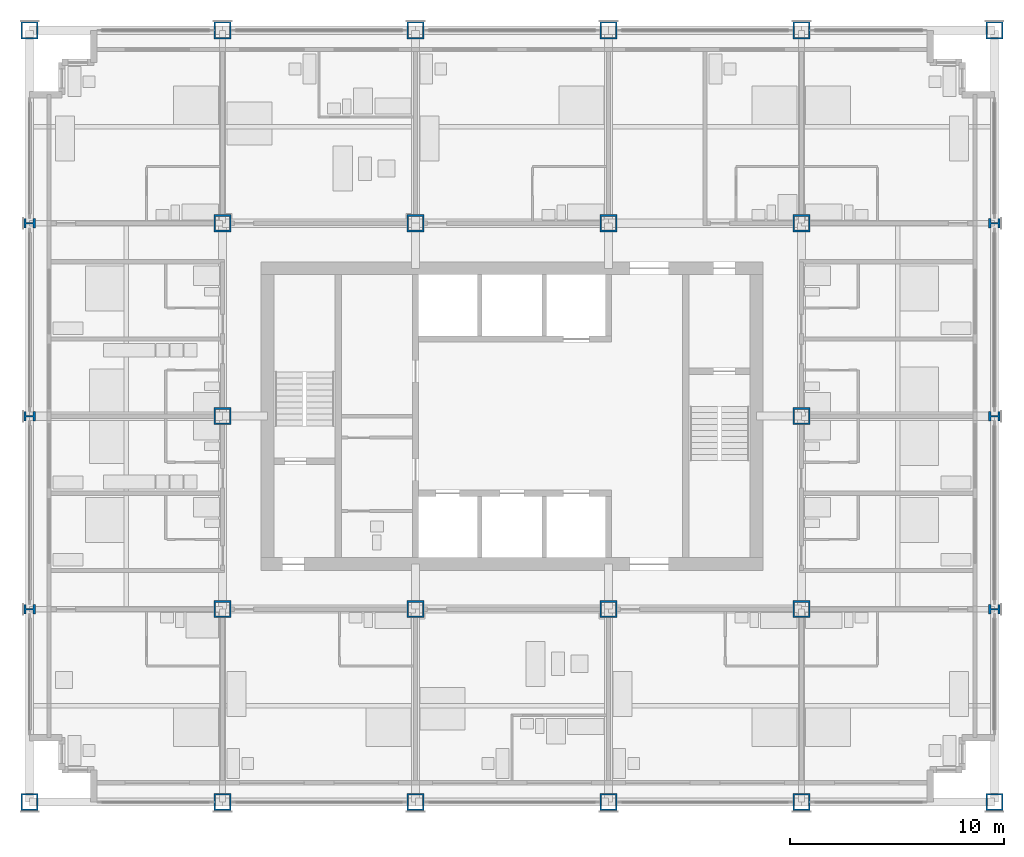
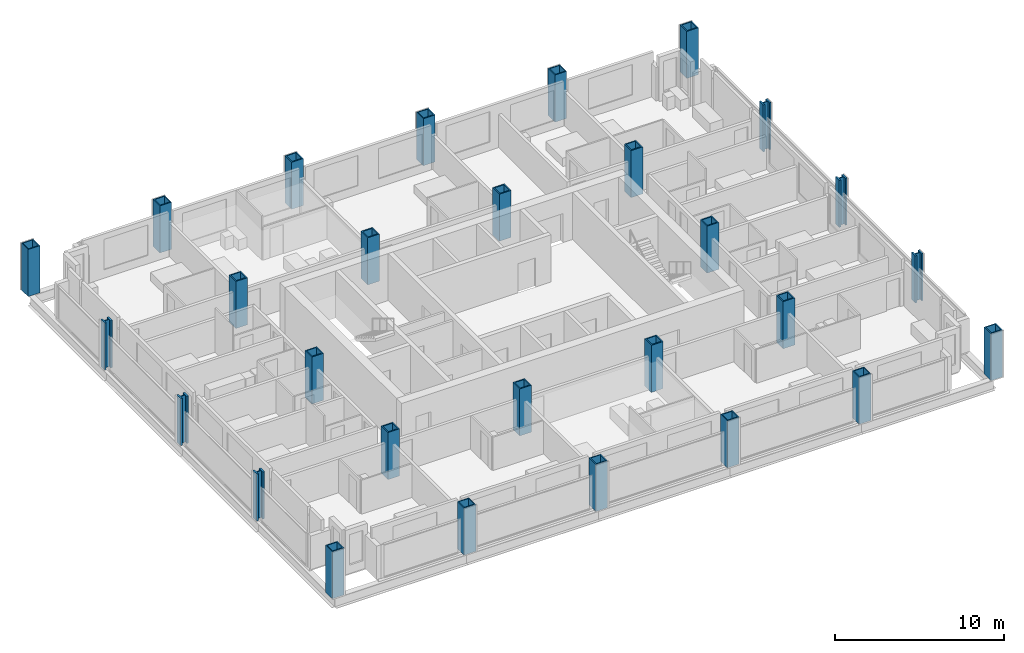
# One storey, part 1 of 16: 28 columns.
"""IFC4 building model written with IfcOpenShell, lengths in metres."""

from ifc_helpers import new_model, si_unit, direction, frame, origin, origin_2d, place, context, subcontext, project, spatial, hollow_rectangle, i_section, extrude, material, material_profile, profile_set, type_object, element, save


model = new_model("IFC4")

# Units and contexts
model_context = context("Model", 3, precision=1e-05, world=origin(), true_north=direction((0.0, 1.0)))
body_context = subcontext(model_context, "Body", "Model", "MODEL_VIEW")
ifc_project = project(units=[si_unit("LENGTHUNIT", "METRE"), si_unit("AREAUNIT", "SQUARE_METRE"), si_unit("VOLUMEUNIT", "CUBIC_METRE"), si_unit("PLANEANGLEUNIT", "RADIAN"), si_unit("MASSUNIT", "GRAM", prefix="KILO")], contexts=[model_context])

# Site, building, storey
site_placement = place(None, origin())
site = spatial("IfcSite", under=ifc_project, at=site_placement, CompositionType="ELEMENT")
building_placement = place(site_placement, origin())
building = spatial("IfcBuilding", under=site, at=building_placement, Name="Loomwork Tower", CompositionType="ELEMENT")
storey_placement = place(building_placement, frame((0.0, 0.0, 114.60009765625)))
storey = spatial("IfcBuildingStorey", under=building, at=storey_placement, Name="L30", CompositionType="ELEMENT", Elevation=114.60009765625)

# Columns
ifc_material_1 = material(Name="Steel ASTM A572 Grade 50 plate", Category="steel")
ifc_material_profile_1 = material_profile(ifc_material_1, hollow_rectangle(XDim=0.800048828125, YDim=0.800048828125, WallThickness=0.070068359375, at=origin_2d()), Name="BOX800x70")
ifc_profile_set_1 = profile_set([ifc_material_profile_1], Name="Steel ASTM A572 Grade 50 plate")
column_type_1 = type_object("IfcColumnType", Name="EXOSKELETON PIER BOX800x70", PredefinedType="COLUMN", material=ifc_profile_set_1)
for number, where, z_axis, x_axis, name in (
    (1, (0.0, 0.0, 0.0), (0.0, 0.0, 1.0), (1.0, 0.0, 0.0), "Exoskeleton Pier D/2 L30"),
    (2, (0.0, 36.0, 0.0), (0.0, 0.0, 1.0), (1.0, 0.0, 0.0), "Exoskeleton Pier H/2 L30"),
    (3, (9.0, 0.0, 0.0), (0.0, 0.0, 1.0), (1.0, 0.0, 0.0), "Exoskeleton Pier D/3 L30"),
    (4, (9.0, 36.0, 0.0), (0.0, 0.0, 1.0), (1.0, 0.0, 0.0), "Exoskeleton Pier H/3 L30"),
    (5, (18.0, 0.0, 0.0), (0.0, 0.0, 1.0), (1.0, 0.0, 0.0), "Exoskeleton Pier D/4 L30"),
    (6, (18.0, 36.0, 0.0), (0.0, 0.0, 1.0), (1.0, 0.0, 0.0), "Exoskeleton Pier H/4 L30"),
    (7, (27.0, 0.0, 0.0), (0.0, 0.0, 1.0), (1.0, 0.0, 0.0), "Exoskeleton Pier D/5 L30"),
    (8, (27.0, 36.0, 0.0), (0.0, 0.0, 1.0), (1.0, 0.0, 0.0), "Exoskeleton Pier H/5 L30"),
    (9, (36.0, 0.0, 0.0), (0.0, 0.0, 1.0), (1.0, 0.0, 0.0), "Exoskeleton Pier D/6 L30"),
    (10, (36.0, 36.0, 0.0), (0.0, 0.0, 1.0), (1.0, 0.0, 0.0), "Exoskeleton Pier H/6 L30"),
    (11, (45.0, 0.0, 0.0), (0.0, 0.0, 1.0), (1.0, 0.0, 0.0), "Exoskeleton Pier D/7 L30"),
    (12, (45.0, 36.0, 0.0), (0.0, 0.0, 1.0), (1.0, 0.0, 0.0), "Exoskeleton Pier H/7 L30"),
):
    element("IfcColumn", number, at=place(storey_placement, frame(where, z_axis=z_axis, x_axis=x_axis)), inside=storey, type_object=column_type_1, Name=name, PredefinedType="COLUMN", context=body_context, shape_type="SweptSolid", body=[
        extrude(hollow_rectangle(XDim=0.800048828125, YDim=0.800048828125, WallThickness=0.070068359375, at=origin_2d()), origin(), (0.0, 0.0, 1.0), 3.39990234375),
    ])
ifc_material_2 = material(Name="Steel ASTM A992", Category="steel")
ifc_material_profile_2 = material_profile(ifc_material_2, i_section(OverallWidth=0.449462890625, OverallDepth=0.548583984375, WebThickness=0.07177734375, FlangeThickness=0.11474609375, at=origin_2d()), Name="W14x665")
ifc_profile_set_2 = profile_set([ifc_material_profile_2], Name="Steel ASTM A992")
column_type_2 = type_object("IfcColumnType", Name="EXOSKELETON PIER W14x665", PredefinedType="COLUMN", material=ifc_profile_set_2)
for number, where, z_axis, x_axis, name in (
    (13, (0.0, 9.0, 0.0), (0.0, 0.0, 1.0), (0.0, 1.0, 0.0), "Exoskeleton Pier E/2 L30"),
    (14, (0.0, 18.0, 0.0), (0.0, 0.0, 1.0), (0.0, 1.0, 0.0), "Exoskeleton Pier F/2 L30"),
    (15, (0.0, 27.0, 0.0), (0.0, 0.0, 1.0), (0.0, 1.0, 0.0), "Exoskeleton Pier G/2 L30"),
    (16, (45.0, 9.0, 0.0), (0.0, 0.0, 1.0), (0.0, 1.0, 0.0), "Exoskeleton Pier E/7 L30"),
    (17, (45.0, 18.0, 0.0), (0.0, 0.0, 1.0), (0.0, 1.0, 0.0), "Exoskeleton Pier F/7 L30"),
    (18, (45.0, 27.0, 0.0), (0.0, 0.0, 1.0), (0.0, 1.0, 0.0), "Exoskeleton Pier G/7 L30"),
):
    element("IfcColumn", number, at=place(storey_placement, frame(where, z_axis=z_axis, x_axis=x_axis)), inside=storey, type_object=column_type_2, Name=name, PredefinedType="COLUMN", context=body_context, shape_type="SweptSolid", body=[
        extrude(i_section(OverallWidth=0.449462890625, OverallDepth=0.548583984375, WebThickness=0.07177734375, FlangeThickness=0.11474609375, at=origin_2d()), origin(), (0.0, 0.0, 1.0), 3.39990234375),
    ])
ifc_material_3 = material(Name="Steel ASTM A572 Grade 50 plate", Category="steel")
ifc_material_profile_3 = material_profile(ifc_material_3, hollow_rectangle(XDim=0.800048828125, YDim=0.800048828125, WallThickness=0.080078125, at=origin_2d()), Name="BOX800x80")
ifc_profile_set_3 = profile_set([ifc_material_profile_3], Name="Steel ASTM A572 Grade 50 plate")
column_type_3 = type_object("IfcColumnType", Name="TOWER COLUMN BOX800x80", PredefinedType="COLUMN", material=ifc_profile_set_3)
for number, where, z_axis, x_axis, name in (
    (19, (9.0, 9.0, 0.0), (0.0, 0.0, 1.0), (1.0, 0.0, 0.0), "Tower Column E/3 L30"),
    (20, (9.0, 18.0, 0.0), (0.0, 0.0, 1.0), (1.0, 0.0, 0.0), "Tower Column F/3 L30"),
    (21, (9.0, 27.0, 0.0), (0.0, 0.0, 1.0), (1.0, 0.0, 0.0), "Tower Column G/3 L30"),
    (22, (18.0, 9.0, 0.0), (0.0, 0.0, 1.0), (1.0, 0.0, 0.0), "Tower Column E/4 L30"),
    (23, (18.0, 27.0, 0.0), (0.0, 0.0, 1.0), (1.0, 0.0, 0.0), "Tower Column G/4 L30"),
    (24, (27.0, 9.0, 0.0), (0.0, 0.0, 1.0), (1.0, 0.0, 0.0), "Tower Column E/5 L30"),
    (25, (27.0, 27.0, 0.0), (0.0, 0.0, 1.0), (1.0, 0.0, 0.0), "Tower Column G/5 L30"),
    (26, (36.0, 9.0, 0.0), (0.0, 0.0, 1.0), (0.0, 1.0, 0.0), "Tower Column E/6 L30"),
    (27, (36.0, 18.0, 0.0), (0.0, 0.0, 1.0), (0.0, 1.0, 0.0), "Tower Column F/6 L30"),
    (28, (36.0, 27.0, 0.0), (0.0, 0.0, 1.0), (1.0, 0.0, 0.0), "Tower Column G/6 L30"),
):
    element("IfcColumn", number, at=place(storey_placement, frame(where, z_axis=z_axis, x_axis=x_axis)), inside=storey, type_object=column_type_3, Name=name, PredefinedType="COLUMN", context=body_context, shape_type="SweptSolid", body=[
        extrude(hollow_rectangle(XDim=0.800048828125, YDim=0.800048828125, WallThickness=0.080078125, at=origin_2d()), origin(), (0.0, 0.0, 1.0), 3.39990234375),
    ])

save(model, "model.ifc")
